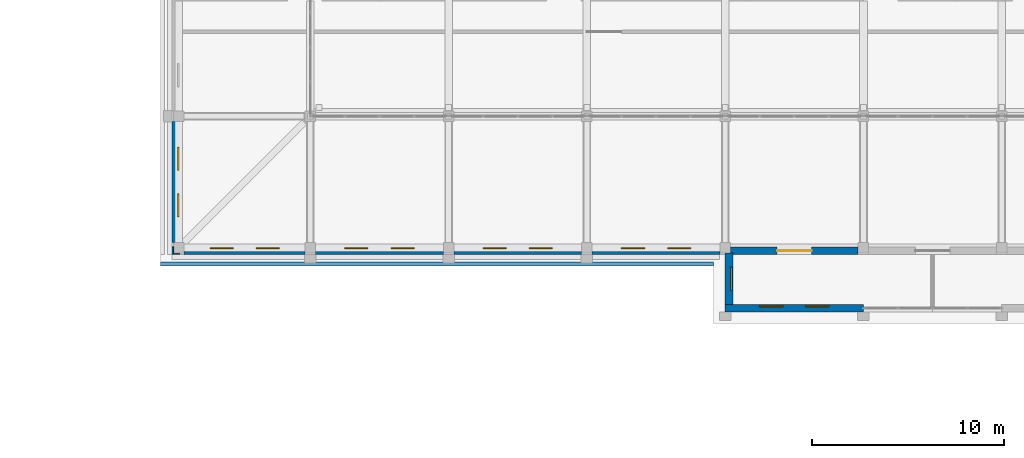
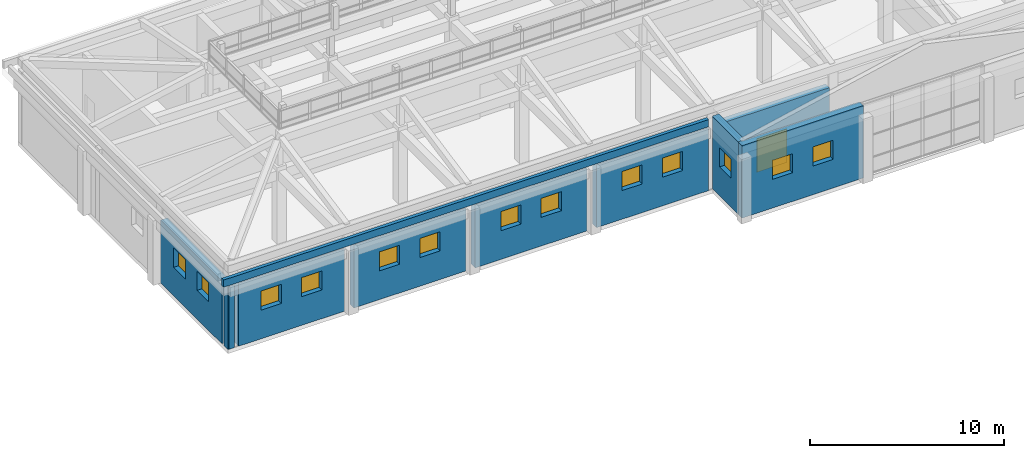
# One storey, part 40 of 48: 13 windows, 11 walls, 1 door, 14 openings.
"""IFC4 building model written with IfcOpenShell, lengths in metres."""

from ifc_helpers import new_model, si_unit, direction, frame, frame_2d, origin, place, context, subcontext, project, spatial, rectangle, extrude, material, layer, layer_set, type_object, element, fill, save


model = new_model("IFC4")

# Units and contexts
model_context = context("Model", 3, precision=1e-05, world=origin(), true_north=direction((0.0, 1.0)))
body_context = subcontext(model_context, "Body", "Model", "MODEL_VIEW")
ifc_project = project(units=[si_unit("LENGTHUNIT", "METRE"), si_unit("AREAUNIT", "SQUARE_METRE"), si_unit("VOLUMEUNIT", "CUBIC_METRE"), si_unit("PLANEANGLEUNIT", "RADIAN"), si_unit("MASSUNIT", "GRAM", prefix="KILO")], contexts=[model_context])

# Site, building, storey
site_placement = place(None, origin())
site = spatial("IfcSite", under=ifc_project, at=site_placement, CompositionType="ELEMENT")
building_placement = place(site_placement, origin())
building = spatial("IfcBuilding", under=site, at=building_placement, Name="Alderwick Market Hall", CompositionType="ELEMENT")
storey_placement = place(building_placement, frame((0.0, 0.0, 14.39990234375)))
storey = spatial("IfcBuildingStorey", under=building, at=storey_placement, Name="L02", CompositionType="ELEMENT", Elevation=14.39990234375)

# Wall
ifc_material_1 = material(Name="Face brick", Category="masonry")
ifc_layer_1 = layer(ifc_material_1, 0.39990234375)
ifc_layer_set_1 = layer_set([ifc_layer_1], Name="Face brick")
wall_type_1 = type_object("IfcWallType", Name="F Brick Pier Wall 400", PredefinedType="SOLIDWALL", material=ifc_layer_set_1)
wall_1_placement = place(storey_placement, frame((158.47509765625, 129.800048828125, 0.0), z_axis=(0.0, 0.0, 1.0), x_axis=(-1.0, 0.0, 0.0)))
element("IfcWall", 1, at=wall_1_placement, inside=storey, type_object=wall_type_1, Name="F.wall.L02.fac.front.01", PredefinedType="SOLIDWALL", context=body_context, shape_type="SweptSolid", body=[
    extrude(rectangle(XDim=0.0751953125, YDim=0.39990234375, at=frame_2d((0.03759765625, 0.0))), origin(), (0.0, 0.0, 1.0), 3.9501953125),
])

# Wall, openings, windows
wall_2_placement = place(storey_placement, frame((165.324951171875, 129.800048828125, 0.0), z_axis=(0.0, 0.0, 1.0), x_axis=(-1.0, 0.0, 0.0)))
wall_2 = element("IfcWall", 2, at=wall_2_placement, inside=storey, type_object=wall_type_1, Name="F.wall.L02.fac.front.02", PredefinedType="SOLIDWALL", context=body_context, shape_type="SweptSolid", body=[
    extrude(rectangle(XDim=6.300048828125, YDim=0.39990234375, at=frame_2d((3.14990234375, 0.0))), origin(), (0.0, 0.0, 1.0), 3.9501953125),
])
opening_1_placement = place(wall_2_placement, frame((1.35009765625, 0.0, 1.800048828125)))
opening_1 = element("IfcOpeningElement", 3, at=opening_1_placement, cuts=wall_2, Name="Opening F-W033", PredefinedType="OPENING", context=body_context, shape_type="SweptSolid", body=[
    extrude(rectangle(XDim=1.199951171875, YDim=1.199951171875, at=frame_2d((0.60009765625, 0.60009765625))), frame((0.0, 0.2099609375, 0.0), z_axis=(0.0, -1.0, 0.0), x_axis=(1.0, 0.0, 0.0)), (0.0, 0.0, 1.0), 0.419921875),
])
opening_2_placement = place(wall_2_placement, frame((3.75, 0.0, 1.800048828125)))
opening_2 = element("IfcOpeningElement", 4, at=opening_2_placement, cuts=wall_2, Name="Opening F-W034", PredefinedType="OPENING", context=body_context, shape_type="SweptSolid", body=[
    extrude(rectangle(XDim=1.199951171875, YDim=1.199951171875, at=frame_2d((0.60009765625, 0.60009765625))), frame((0.0, 0.2099609375, 0.0), z_axis=(0.0, -1.0, 0.0), x_axis=(1.0, 0.0, 0.0)), (0.0, 0.0, 1.0), 0.419921875),
])
ifc_material_2 = material(Name="Aluminium frame, double glazing", Category="aluminium")
window_type = type_object("IfcWindowType", Name="F Attic Window 1200x1200", PartitioningType="SINGLE_PANEL", PredefinedType="WINDOW", material=ifc_material_2)
window_1_placement = place(opening_1_placement, origin())
window_1 = element("IfcWindow", 5, at=window_1_placement, inside=storey, type_object=window_type, Name="F.win.L02.033", OverallHeight=1.199951171875, OverallWidth=1.199951171875, PartitioningType="SINGLE_PANEL", PredefinedType="WINDOW", context=body_context, shape_type="SweptSolid", body=[
    extrude(rectangle(XDim=1.199951171875, YDim=1.199951171875, at=frame_2d((0.60009765625, 0.60009765625))), frame((0.0, -0.090087890625, 0.0), z_axis=(0.0, -1.0, 0.0), x_axis=(1.0, 0.0, 0.0)), (0.0, 0.0, 1.0), 0.06005859375),
])
fill(opening_1, window_1)
window_2_placement = place(opening_2_placement, origin())
window_2 = element("IfcWindow", 6, at=window_2_placement, inside=storey, type_object=window_type, Name="F.win.L02.034", OverallHeight=1.199951171875, OverallWidth=1.199951171875, PartitioningType="SINGLE_PANEL", PredefinedType="WINDOW", context=body_context, shape_type="SweptSolid", body=[
    extrude(rectangle(XDim=1.199951171875, YDim=1.199951171875, at=frame_2d((0.60009765625, 0.60009765625))), frame((0.0, -0.090087890625, 0.0), z_axis=(0.0, -1.0, 0.0), x_axis=(1.0, 0.0, 0.0)), (0.0, 0.0, 1.0), 0.06005859375),
])
fill(opening_2, window_2)

wall_3_placement = place(storey_placement, frame((172.52490234375, 129.800048828125, 0.0), z_axis=(0.0, 0.0, 1.0), x_axis=(-1.0, 0.0, 0.0)))
wall_3 = element("IfcWall", 7, at=wall_3_placement, inside=storey, type_object=wall_type_1, Name="F.wall.L02.fac.front.03", PredefinedType="SOLIDWALL", context=body_context, shape_type="SweptSolid", body=[
    extrude(rectangle(XDim=6.64990234375, YDim=0.39990234375, at=frame_2d((3.324951171875, 0.0))), origin(), (0.0, 0.0, 1.0), 3.9501953125),
])
opening_3_placement = place(wall_3_placement, frame((1.52490234375, 0.0, 1.800048828125)))
opening_3 = element("IfcOpeningElement", 8, at=opening_3_placement, cuts=wall_3, Name="Opening F-W035", PredefinedType="OPENING", context=body_context, shape_type="SweptSolid", body=[
    extrude(rectangle(XDim=1.199951171875, YDim=1.199951171875, at=frame_2d((0.60009765625, 0.60009765625))), frame((0.0, 0.2099609375, 0.0), z_axis=(0.0, -1.0, 0.0), x_axis=(1.0, 0.0, 0.0)), (0.0, 0.0, 1.0), 0.419921875),
])
opening_4_placement = place(wall_3_placement, frame((3.925048828125, 0.0, 1.800048828125)))
opening_4 = element("IfcOpeningElement", 9, at=opening_4_placement, cuts=wall_3, Name="Opening F-W036", PredefinedType="OPENING", context=body_context, shape_type="SweptSolid", body=[
    extrude(rectangle(XDim=1.199951171875, YDim=1.199951171875, at=frame_2d((0.60009765625, 0.60009765625))), frame((0.0, 0.2099609375, 0.0), z_axis=(0.0, -1.0, 0.0), x_axis=(1.0, 0.0, 0.0)), (0.0, 0.0, 1.0), 0.419921875),
])
window_3_placement = place(opening_3_placement, origin())
window_3 = element("IfcWindow", 10, at=window_3_placement, inside=storey, type_object=window_type, Name="F.win.L02.035", OverallHeight=1.199951171875, OverallWidth=1.199951171875, PartitioningType="SINGLE_PANEL", PredefinedType="WINDOW", context=body_context, shape_type="SweptSolid", body=[
    extrude(rectangle(XDim=1.199951171875, YDim=1.199951171875, at=frame_2d((0.60009765625, 0.60009765625))), frame((0.0, -0.090087890625, 0.0), z_axis=(0.0, -1.0, 0.0), x_axis=(1.0, 0.0, 0.0)), (0.0, 0.0, 1.0), 0.06005859375),
])
fill(opening_3, window_3)
window_4_placement = place(opening_4_placement, origin())
window_4 = element("IfcWindow", 11, at=window_4_placement, inside=storey, type_object=window_type, Name="F.win.L02.036", OverallHeight=1.199951171875, OverallWidth=1.199951171875, PartitioningType="SINGLE_PANEL", PredefinedType="WINDOW", context=body_context, shape_type="SweptSolid", body=[
    extrude(rectangle(XDim=1.199951171875, YDim=1.199951171875, at=frame_2d((0.60009765625, 0.60009765625))), frame((0.0, -0.090087890625, 0.0), z_axis=(0.0, -1.0, 0.0), x_axis=(1.0, 0.0, 0.0)), (0.0, 0.0, 1.0), 0.06005859375),
])
fill(opening_4, window_4)

wall_4_placement = place(storey_placement, frame((179.72509765625, 129.800048828125, 0.0), z_axis=(0.0, 0.0, 1.0), x_axis=(-1.0, 0.0, 0.0)))
wall_4 = element("IfcWall", 12, at=wall_4_placement, inside=storey, type_object=wall_type_1, Name="F.wall.L02.fac.front.04", PredefinedType="SOLIDWALL", context=body_context, shape_type="SweptSolid", body=[
    extrude(rectangle(XDim=6.650146484375, YDim=0.39990234375, at=frame_2d((3.3251953125, 0.0))), origin(), (0.0, 0.0, 1.0), 3.9501953125),
])
opening_5_placement = place(wall_4_placement, frame((1.52490234375, 0.0, 1.800048828125)))
opening_5 = element("IfcOpeningElement", 13, at=opening_5_placement, cuts=wall_4, Name="Opening F-W037", PredefinedType="OPENING", context=body_context, shape_type="SweptSolid", body=[
    extrude(rectangle(XDim=1.199951171875, YDim=1.199951171875, at=frame_2d((0.60009765625, 0.60009765625))), frame((0.0, 0.2099609375, 0.0), z_axis=(0.0, -1.0, 0.0), x_axis=(1.0, 0.0, 0.0)), (0.0, 0.0, 1.0), 0.419921875),
])
opening_6_placement = place(wall_4_placement, frame((3.925048828125, 0.0, 1.800048828125)))
opening_6 = element("IfcOpeningElement", 14, at=opening_6_placement, cuts=wall_4, Name="Opening F-W038", PredefinedType="OPENING", context=body_context, shape_type="SweptSolid", body=[
    extrude(rectangle(XDim=1.199951171875, YDim=1.199951171875, at=frame_2d((0.60009765625, 0.60009765625))), frame((0.0, 0.2099609375, 0.0), z_axis=(0.0, -1.0, 0.0), x_axis=(1.0, 0.0, 0.0)), (0.0, 0.0, 1.0), 0.419921875),
])
window_5_placement = place(opening_5_placement, origin())
window_5 = element("IfcWindow", 15, at=window_5_placement, inside=storey, type_object=window_type, Name="F.win.L02.037", OverallHeight=1.199951171875, OverallWidth=1.199951171875, PartitioningType="SINGLE_PANEL", PredefinedType="WINDOW", context=body_context, shape_type="SweptSolid", body=[
    extrude(rectangle(XDim=1.199951171875, YDim=1.199951171875, at=frame_2d((0.60009765625, 0.60009765625))), frame((0.0, -0.090087890625, 0.0), z_axis=(0.0, -1.0, 0.0), x_axis=(1.0, 0.0, 0.0)), (0.0, 0.0, 1.0), 0.06005859375),
])
fill(opening_5, window_5)
window_6_placement = place(opening_6_placement, origin())
window_6 = element("IfcWindow", 16, at=window_6_placement, inside=storey, type_object=window_type, Name="F.win.L02.038", OverallHeight=1.199951171875, OverallWidth=1.199951171875, PartitioningType="SINGLE_PANEL", PredefinedType="WINDOW", context=body_context, shape_type="SweptSolid", body=[
    extrude(rectangle(XDim=1.199951171875, YDim=1.199951171875, at=frame_2d((0.60009765625, 0.60009765625))), frame((0.0, -0.090087890625, 0.0), z_axis=(0.0, -1.0, 0.0), x_axis=(1.0, 0.0, 0.0)), (0.0, 0.0, 1.0), 0.06005859375),
])
fill(opening_6, window_6)

wall_5_placement = place(storey_placement, frame((186.925048828125, 129.800048828125, 0.0), z_axis=(0.0, 0.0, 1.0), x_axis=(-1.0, 0.0, 0.0)))
wall_5 = element("IfcWall", 17, at=wall_5_placement, inside=storey, type_object=wall_type_1, Name="F.wall.L02.fac.front.05", PredefinedType="SOLIDWALL", context=body_context, shape_type="SweptSolid", body=[
    extrude(rectangle(XDim=6.650146484375, YDim=0.39990234375, at=frame_2d((3.3251953125, 0.0))), origin(), (0.0, 0.0, 1.0), 3.9501953125),
])
opening_7_placement = place(wall_5_placement, frame((1.52490234375, 0.0, 1.800048828125)))
opening_7 = element("IfcOpeningElement", 18, at=opening_7_placement, cuts=wall_5, Name="Opening F-W039", PredefinedType="OPENING", context=body_context, shape_type="SweptSolid", body=[
    extrude(rectangle(XDim=1.199951171875, YDim=1.199951171875, at=frame_2d((0.60009765625, 0.60009765625))), frame((0.0, 0.2099609375, 0.0), z_axis=(0.0, -1.0, 0.0), x_axis=(1.0, 0.0, 0.0)), (0.0, 0.0, 1.0), 0.419921875),
])
opening_8_placement = place(wall_5_placement, frame((3.925048828125, 0.0, 1.800048828125)))
opening_8 = element("IfcOpeningElement", 19, at=opening_8_placement, cuts=wall_5, Name="Opening F-W040", PredefinedType="OPENING", context=body_context, shape_type="SweptSolid", body=[
    extrude(rectangle(XDim=1.199951171875, YDim=1.199951171875, at=frame_2d((0.60009765625, 0.60009765625))), frame((0.0, 0.2099609375, 0.0), z_axis=(0.0, -1.0, 0.0), x_axis=(1.0, 0.0, 0.0)), (0.0, 0.0, 1.0), 0.419921875),
])
window_7_placement = place(opening_7_placement, origin())
window_7 = element("IfcWindow", 20, at=window_7_placement, inside=storey, type_object=window_type, Name="F.win.L02.039", OverallHeight=1.199951171875, OverallWidth=1.199951171875, PartitioningType="SINGLE_PANEL", PredefinedType="WINDOW", context=body_context, shape_type="SweptSolid", body=[
    extrude(rectangle(XDim=1.199951171875, YDim=1.199951171875, at=frame_2d((0.60009765625, 0.60009765625))), frame((0.0, -0.090087890625, 0.0), z_axis=(0.0, -1.0, 0.0), x_axis=(1.0, 0.0, 0.0)), (0.0, 0.0, 1.0), 0.06005859375),
])
fill(opening_7, window_7)
window_8_placement = place(opening_8_placement, origin())
window_8 = element("IfcWindow", 21, at=window_8_placement, inside=storey, type_object=window_type, Name="F.win.L02.040", OverallHeight=1.199951171875, OverallWidth=1.199951171875, PartitioningType="SINGLE_PANEL", PredefinedType="WINDOW", context=body_context, shape_type="SweptSolid", body=[
    extrude(rectangle(XDim=1.199951171875, YDim=1.199951171875, at=frame_2d((0.60009765625, 0.60009765625))), frame((0.0, -0.090087890625, 0.0), z_axis=(0.0, -1.0, 0.0), x_axis=(1.0, 0.0, 0.0)), (0.0, 0.0, 1.0), 0.06005859375),
])
fill(opening_8, window_8)

# Wall, opening, door
wall_6_placement = place(storey_placement, frame((194.125, 129.800048828125, 0.0), z_axis=(0.0, 0.0, 1.0), x_axis=(-1.0, 0.0, 0.0)))
wall_6 = element("IfcWall", 22, at=wall_6_placement, inside=storey, type_object=wall_type_1, Name="F.wall.L02.fac.front.06", PredefinedType="SOLIDWALL", context=body_context, shape_type="SweptSolid", body=[
    extrude(rectangle(XDim=6.64990234375, YDim=0.39990234375, at=frame_2d((3.324951171875, 0.0))), origin(), (0.0, 0.0, 1.0), 3.9501953125),
])
opening_9_placement = place(wall_6_placement, frame((2.425048828125, 0.0, 0.0)))
opening_9 = element("IfcOpeningElement", 23, at=opening_9_placement, cuts=wall_6, Name="Opening F-D011", PredefinedType="OPENING", context=body_context, shape_type="SweptSolid", body=[
    extrude(rectangle(XDim=1.800048828125, YDim=2.10009765625, at=frame_2d((0.89990234375, 1.050048828125))), frame((0.0, 0.2099609375, 0.0), z_axis=(0.0, -1.0, 0.0), x_axis=(1.0, 0.0, 0.0)), (0.0, 0.0, 1.0), 0.419921875),
])
ifc_material_3 = material(Name="Timber, solid core", Category="wood")
door_type = type_object("IfcDoorType", Name="F Door Pair 1800x2100", OperationType="NOTDEFINED", PredefinedType="DOOR", material=ifc_material_3)
door_placement = place(opening_9_placement, origin())
door = element("IfcDoor", 24, at=door_placement, inside=storey, type_object=door_type, Name="F.door.L02.011", OperationType="NOTDEFINED", OverallHeight=2.10009765625, OverallWidth=1.800048828125, PredefinedType="DOOR", context=body_context, shape_type="SweptSolid", body=[
    extrude(rectangle(XDim=1.800048828125, YDim=2.10009765625, at=frame_2d((0.89990234375, 1.050048828125))), frame((0.0, 0.02490234375, 0.0), z_axis=(0.0, -1.0, 0.0), x_axis=(1.0, 0.0, 0.0)), (0.0, 0.0, 1.0), 0.050048828125),
])
fill(opening_9, door)

# Wall, openings, windows
wall_7_placement = place(storey_placement, frame((194.39990234375, 126.800048828125, 0.0), z_axis=(0.0, 0.0, 1.0), x_axis=(-1.0, 0.0, 0.0)))
wall_7 = element("IfcWall", 25, at=wall_7_placement, inside=storey, type_object=wall_type_1, Name="F.wall.L02.pav1.front.01", PredefinedType="SOLIDWALL", context=body_context, shape_type="SweptSolid", body=[
    extrude(rectangle(XDim=7.199951171875, YDim=0.39990234375, at=frame_2d((3.60009765625, 0.0))), origin(), (0.0, 0.0, 1.0), 4.550048828125),
])
opening_10_placement = place(wall_7_placement, frame((1.800048828125, 0.0, 1.800048828125)))
opening_10 = element("IfcOpeningElement", 26, at=opening_10_placement, cuts=wall_7, Name="Opening F-W072", PredefinedType="OPENING", context=body_context, shape_type="SweptSolid", body=[
    extrude(rectangle(XDim=1.199951171875, YDim=1.199951171875, at=frame_2d((0.60009765625, 0.60009765625))), frame((0.0, 0.2099609375, 0.0), z_axis=(0.0, -1.0, 0.0), x_axis=(1.0, 0.0, 0.0)), (0.0, 0.0, 1.0), 0.419921875),
])
opening_11_placement = place(wall_7_placement, frame((4.199951171875, 0.0, 1.800048828125)))
opening_11 = element("IfcOpeningElement", 27, at=opening_11_placement, cuts=wall_7, Name="Opening F-W073", PredefinedType="OPENING", context=body_context, shape_type="SweptSolid", body=[
    extrude(rectangle(XDim=1.199951171875, YDim=1.199951171875, at=frame_2d((0.60009765625, 0.60009765625))), frame((0.0, 0.2099609375, 0.0), z_axis=(0.0, -1.0, 0.0), x_axis=(1.0, 0.0, 0.0)), (0.0, 0.0, 1.0), 0.419921875),
])
window_9_placement = place(opening_10_placement, origin())
window_9 = element("IfcWindow", 28, at=window_9_placement, inside=storey, type_object=window_type, Name="F.win.L02.072", OverallHeight=1.199951171875, OverallWidth=1.199951171875, PartitioningType="SINGLE_PANEL", PredefinedType="WINDOW", context=body_context, shape_type="SweptSolid", body=[
    extrude(rectangle(XDim=1.199951171875, YDim=1.199951171875, at=frame_2d((0.60009765625, 0.60009765625))), frame((0.0, -0.090087890625, 0.0), z_axis=(0.0, -1.0, 0.0), x_axis=(1.0, 0.0, 0.0)), (0.0, 0.0, 1.0), 0.06005859375),
])
fill(opening_10, window_9)
window_10_placement = place(opening_11_placement, origin())
window_10 = element("IfcWindow", 29, at=window_10_placement, inside=storey, type_object=window_type, Name="F.win.L02.073", OverallHeight=1.199951171875, OverallWidth=1.199951171875, PartitioningType="SINGLE_PANEL", PredefinedType="WINDOW", context=body_context, shape_type="SweptSolid", body=[
    extrude(rectangle(XDim=1.199951171875, YDim=1.199951171875, at=frame_2d((0.60009765625, 0.60009765625))), frame((0.0, -0.090087890625, 0.0), z_axis=(0.0, -1.0, 0.0), x_axis=(1.0, 0.0, 0.0)), (0.0, 0.0, 1.0), 0.06005859375),
])
fill(opening_11, window_10)

# Wall, opening, window
wall_8_placement = place(storey_placement, frame((187.39990234375, 127.0, 0.0), z_axis=(0.0, 0.0, 1.0), x_axis=(0.0, 1.0, 0.0)))
wall_8 = element("IfcWall", 30, at=wall_8_placement, inside=storey, type_object=wall_type_1, Name="F.wall.L02.pav1.west.01", PredefinedType="SOLIDWALL", context=body_context, shape_type="SweptSolid", body=[
    extrude(rectangle(XDim=2.675048828125, YDim=0.39990234375, at=frame_2d((1.33740234375, 0.0))), origin(), (0.0, 0.0, 1.0), 4.550048828125),
])
opening_12_placement = place(wall_8_placement, frame((0.737548828125, 0.0, 1.800048828125)))
opening_12 = element("IfcOpeningElement", 31, at=opening_12_placement, cuts=wall_8, Name="Opening F-W076", PredefinedType="OPENING", context=body_context, shape_type="SweptSolid", body=[
    extrude(rectangle(XDim=1.199951171875, YDim=1.199951171875, at=frame_2d((0.60009765625, 0.60009765625))), frame((0.0, 0.2099609375, 0.0), z_axis=(0.0, -1.0, 0.0), x_axis=(1.0, 0.0, 0.0)), (0.0, 0.0, 1.0), 0.419921875),
])
window_11_placement = place(opening_12_placement, origin())
window_11 = element("IfcWindow", 32, at=window_11_placement, inside=storey, type_object=window_type, Name="F.win.L02.076", OverallHeight=1.199951171875, OverallWidth=1.199951171875, PartitioningType="SINGLE_PANEL", PredefinedType="WINDOW", context=body_context, shape_type="SweptSolid", body=[
    extrude(rectangle(XDim=1.199951171875, YDim=1.199951171875, at=frame_2d((0.60009765625, 0.60009765625))), frame((0.0, -0.090087890625, 0.0), z_axis=(0.0, -1.0, 0.0), x_axis=(1.0, 0.0, 0.0)), (0.0, 0.0, 1.0), 0.06005859375),
])
fill(opening_12, window_11)

# Walls
ifc_material_4 = material(Name="Cast stone 5000 psi", Category="masonry")
ifc_layer_2 = layer(ifc_material_4, 0.199951171875)
ifc_layer_set_2 = layer_set([ifc_layer_2], Name="Cast stone 5000 psi")
wall_type_2 = type_object("IfcWallType", Name="F Cornice Fascia Cast Stone 200x450", PredefinedType="SOLIDWALL", material=ifc_layer_set_2)
wall_9_placement = place(storey_placement, frame((186.60009765625, 129.10009765625, 4.5), z_axis=(0.0, 0.0, 1.0), x_axis=(-1.0, 0.0, 0.0)))
element("IfcWall", 33, at=wall_9_placement, inside=storey, type_object=wall_type_2, Name="F.wall.L02.fascia.front.01", PredefinedType="SOLIDWALL", context=body_context, shape_type="SweptSolid", body=[
    extrude(rectangle(XDim=28.800048828125, YDim=0.199951171875, at=frame_2d((14.39990234375, 0.0))), origin(), (0.0, 0.0, 1.0), 0.4501953125),
])
ifc_material_5 = material(Name="Concrete 5000 psi (f'c 35 MPa)", Category="concrete")
ifc_layer_3 = layer(ifc_material_5, 0.39990234375)
ifc_layer_set_3 = layer_set([ifc_layer_3], Name="Concrete 5000 psi (f'c 35 MPa)")
wall_type_3 = type_object("IfcWallType", Name="F End Shear Wall Concrete 5000 psi 400", PredefinedType="SHEAR", material=ifc_layer_set_3)
wall_10_placement = place(storey_placement, frame((158.60009765625, 129.60009765625, 0.0), z_axis=(0.0, 0.0, 1.0), x_axis=(0.0, 1.0, 0.0)))
element("IfcWall", 34, at=wall_10_placement, inside=storey, type_object=wall_type_3, Name="F.wall.L02.fac.west.01", PredefinedType="SHEAR", context=body_context, shape_type="SweptSolid", body=[
    extrude(rectangle(XDim=0.074951171875, YDim=0.39990234375, at=frame_2d((0.03759765625, 0.0))), origin(), (0.0, 0.0, 1.0), 3.9501953125),
])

# Wall, openings, windows
wall_11_placement = place(storey_placement, frame((158.60009765625, 130.22509765625, 0.0), z_axis=(0.0, 0.0, 1.0), x_axis=(0.0, 1.0, 0.0)))
wall_11 = element("IfcWall", 35, at=wall_11_placement, inside=storey, type_object=wall_type_3, Name="F.wall.L02.fac.west.02", PredefinedType="SHEAR", context=body_context, shape_type="SweptSolid", body=[
    extrude(rectangle(XDim=6.2998046875, YDim=0.39990234375, at=frame_2d((3.14990234375, 0.0))), origin(), (0.0, 0.0, 1.0), 3.9501953125),
])
opening_13_placement = place(wall_11_placement, frame((1.35009765625, 0.0, 1.800048828125)))
opening_13 = element("IfcOpeningElement", 36, at=opening_13_placement, cuts=wall_11, Name="Opening F-W047", PredefinedType="OPENING", context=body_context, shape_type="SweptSolid", body=[
    extrude(rectangle(XDim=1.199951171875, YDim=1.199951171875, at=frame_2d((0.60009765625, 0.60009765625))), frame((0.0, 0.2099609375, 0.0), z_axis=(0.0, -1.0, 0.0), x_axis=(1.0, 0.0, 0.0)), (0.0, 0.0, 1.0), 0.419921875),
])
opening_14_placement = place(wall_11_placement, frame((3.75, 0.0, 1.800048828125)))
opening_14 = element("IfcOpeningElement", 37, at=opening_14_placement, cuts=wall_11, Name="Opening F-W048", PredefinedType="OPENING", context=body_context, shape_type="SweptSolid", body=[
    extrude(rectangle(XDim=1.199951171875, YDim=1.199951171875, at=frame_2d((0.60009765625, 0.60009765625))), frame((0.0, 0.2099609375, 0.0), z_axis=(0.0, -1.0, 0.0), x_axis=(1.0, 0.0, 0.0)), (0.0, 0.0, 1.0), 0.419921875),
])
window_12_placement = place(opening_13_placement, origin())
window_12 = element("IfcWindow", 38, at=window_12_placement, inside=storey, type_object=window_type, Name="F.win.L02.047", OverallHeight=1.199951171875, OverallWidth=1.199951171875, PartitioningType="SINGLE_PANEL", PredefinedType="WINDOW", context=body_context, shape_type="SweptSolid", body=[
    extrude(rectangle(XDim=1.199951171875, YDim=1.199951171875, at=frame_2d((0.60009765625, 0.60009765625))), frame((0.0, -0.090087890625, 0.0), z_axis=(0.0, -1.0, 0.0), x_axis=(1.0, 0.0, 0.0)), (0.0, 0.0, 1.0), 0.06005859375),
])
fill(opening_13, window_12)
window_13_placement = place(opening_14_placement, origin())
window_13 = element("IfcWindow", 39, at=window_13_placement, inside=storey, type_object=window_type, Name="F.win.L02.048", OverallHeight=1.199951171875, OverallWidth=1.199951171875, PartitioningType="SINGLE_PANEL", PredefinedType="WINDOW", context=body_context, shape_type="SweptSolid", body=[
    extrude(rectangle(XDim=1.199951171875, YDim=1.199951171875, at=frame_2d((0.60009765625, 0.60009765625))), frame((0.0, -0.090087890625, 0.0), z_axis=(0.0, -1.0, 0.0), x_axis=(1.0, 0.0, 0.0)), (0.0, 0.0, 1.0), 0.06005859375),
])
fill(opening_14, window_13)

save(model, "model.ifc")
